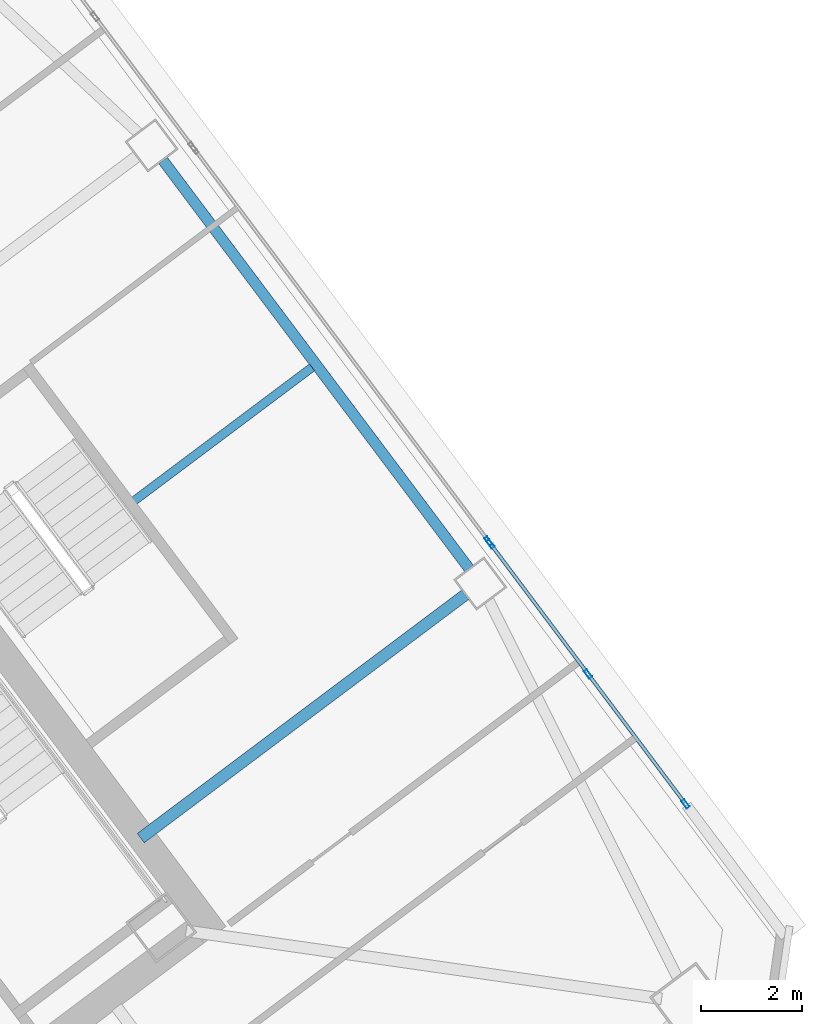
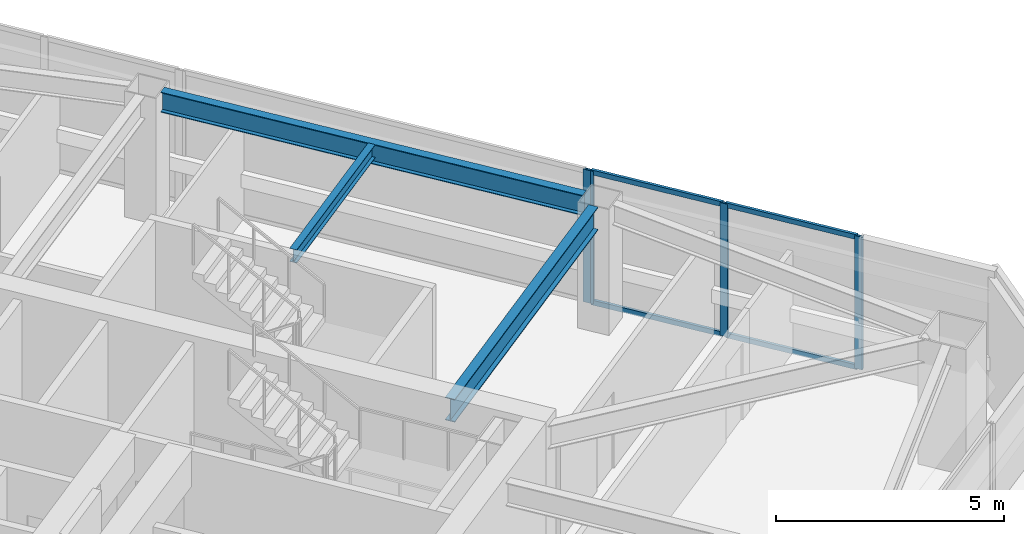
# One storey, part 26 of 43: 8 members, 3 beams, 2 elements without a shape of their own.
"""IFC4 building model written with IfcOpenShell, lengths in metres."""

from ifc_helpers import new_model, si_unit, direction, frame, origin, origin_2d, place, context, subcontext, project, spatial, hollow_rectangle, i_section, extrude, material, material_profile, profile_set, type_object, element, aggregate, save


model = new_model("IFC4")

# Units and contexts
model_context = context("Model", 3, precision=1e-05, world=origin(), true_north=direction((0.0, 1.0)))
body_context = subcontext(model_context, "Body", "Model", "MODEL_VIEW")
ifc_project = project(units=[si_unit("LENGTHUNIT", "METRE"), si_unit("AREAUNIT", "SQUARE_METRE"), si_unit("VOLUMEUNIT", "CUBIC_METRE"), si_unit("PLANEANGLEUNIT", "RADIAN"), si_unit("MASSUNIT", "GRAM", prefix="KILO")], contexts=[model_context])

# Site, building, storey
site_placement = place(None, origin())
site = spatial("IfcSite", under=ifc_project, at=site_placement, CompositionType="ELEMENT")
building_placement = place(site_placement, origin())
building = spatial("IfcBuilding", under=site, at=building_placement, Name="Tashvorn Skyway Center", CompositionType="ELEMENT")
storey_placement = place(building_placement, frame((0.0, 0.0, 160.550048828125)))
storey = spatial("IfcBuildingStorey", under=building, at=storey_placement, Name="L43", CompositionType="ELEMENT", Elevation=160.550048828125)

# Beams
ifc_material_1 = material(Name="Steel ASTM A992 Grade 50", Category="steel")
ifc_material_profile_1 = material_profile(ifc_material_1, i_section(OverallWidth=0.22998046875, OverallDepth=0.616943359375, WebThickness=0.01318359375, FlangeThickness=0.022216796875, at=origin_2d()), Name="W24X94")
ifc_profile_set_1 = profile_set([ifc_material_profile_1], Name="Steel ASTM A992 Grade 50")
beam_type_1 = type_object("IfcBeamType", Name="BM-BEAM-W24X94", PredefinedType="BEAM", material=ifc_profile_set_1)
beam_1_placement = place(storey_placement, frame((129.864013671875, 37.14794921875, 3.0615234375), z_axis=(-0.799992675677, -0.60000976564, 0.0), x_axis=(0.60000976564, -0.799992675677, 0.0)))
element("IfcBeam", 1, at=beam_1_placement, inside=storey, type_object=beam_type_1, Name="Tower 2 L43 Primary Floor Girder FC-E1", PredefinedType="BEAM", context=body_context, shape_type="SweptSolid", body=[
    extrude(i_section(OverallWidth=0.22998046875, OverallDepth=0.616943359375, WebThickness=0.01318359375, FlangeThickness=0.022216796875, at=origin_2d()), origin(), (0.0, 0.0, 1.0), 8.0),
])
ifc_material_profile_2 = material_profile(ifc_material_1, i_section(OverallWidth=0.1708984375, OverallDepth=0.35498046875, WebThickness=0.007080078125, FlangeThickness=0.01171875, at=origin_2d()), Name="W14X34")
ifc_profile_set_2 = profile_set([ifc_material_profile_2], Name="Steel ASTM A992 Grade 50")
beam_type_2 = type_object("IfcBeamType", Name="BM-JOIST-W14X34", PredefinedType="JOIST", material=ifc_profile_set_2)
beam_2_placement = place(storey_placement, frame((123.3359375, 39.001953125, 3.1923828125), z_axis=(0.799993315235, 0.600008912917, 0.0), x_axis=(-0.600008912917, 0.799993315235, 0.0)))
element("IfcBeam", 2, at=beam_2_placement, inside=storey, type_object=beam_type_2, Name="Tower 2 L43 Secondary Composite Joist JE", PredefinedType="JOIST", context=body_context, shape_type="SweptSolid", body=[
    extrude(i_section(OverallWidth=0.1708984375, OverallDepth=0.35498046875, WebThickness=0.007080078125, FlangeThickness=0.01171875, at=origin_2d()), origin(), (0.0, 0.0, 1.0), 4.382568359375),
])
ifc_material_profile_3 = material_profile(ifc_material_1, i_section(OverallWidth=0.2109375, OverallDepth=0.5390625, WebThickness=0.01171875, FlangeThickness=0.018798828125, at=origin_2d()), Name="W21X73")
ifc_profile_set_3 = profile_set([ifc_material_profile_3], Name="Steel ASTM A992 Grade 50")
beam_type_3 = type_object("IfcBeamType", Name="BM-SPANDREL-W21X73", PredefinedType="SPANDREL", material=ifc_profile_set_3)
beam_3_placement = place(storey_placement, frame((129.93798828125, 37.666015625, 3.100341796875), z_axis=(-0.599988351091, 0.800008736549, 0.0), x_axis=(-0.800008736549, -0.599988351091, 0.0)))
element("IfcBeam", 3, at=beam_3_placement, inside=storey, type_object=beam_type_3, Name="Tower 2 L43 Spandrel Beam 05", PredefinedType="SPANDREL", context=body_context, shape_type="SweptSolid", body=[
    extrude(i_section(OverallWidth=0.2109375, OverallDepth=0.5390625, WebThickness=0.01171875, FlangeThickness=0.018798828125, at=origin_2d()), origin(), (0.0, 0.0, 1.0), 10.06005859375),
])

# Curtain wall, member
ifc_material_2 = material(Name="Thermally broken bronze-anodized aluminium 6063-T6", Category="aluminium")
curtain_wall_type = type_object("IfcCurtainWallType", Name="CW-CW-Z4", PredefinedType="NOTDEFINED", material=ifc_material_2)
curtain_wall_1_placement = place(storey_placement, origin())
curtain_wall_1 = element("IfcCurtainWall", 4, at=curtain_wall_1_placement, inside=storey, type_object=curtain_wall_type, Name="Tower 2 L43 East Unitised Curtain Wall Glazing Group 2", PredefinedType="NOTDEFINED")
ifc_material_profile_4 = material_profile(ifc_material_2, hollow_rectangle(XDim=0.070068359375, YDim=0.179931640625, WallThickness=0.00390625, at=origin_2d()), Name="ALU-MULL-70x180")
ifc_profile_set_4 = profile_set([ifc_material_profile_4], Name="Thermally broken bronze-anodized aluminium 6063-T6")
member_type_1 = type_object("IfcMemberType", Name="CWM-CW-Z4", PredefinedType="MULLION", material=ifc_profile_set_4)
member_1_placement = place(storey_placement, frame((130.319091796875, 38.2080078125, 0.0), z_axis=(0.0, 0.0, 1.0), x_axis=(0.799999999998, 0.600000000002, 0.0)))
member_1 = element("IfcMember", 5, at=member_1_placement, type_object=member_type_1, Name="CW-Z4 mullion 2", PredefinedType="MULLION", context=body_context, shape_type="SweptSolid", body=[
    extrude(hollow_rectangle(XDim=0.070068359375, YDim=0.179931640625, WallThickness=0.00390625, at=origin_2d()), origin(), (0.0, 0.0, 1.0), 3.550048828125),
])
aggregate(curtain_wall_1, [member_1])

# Curtain wall, members
curtain_wall_2_placement = place(storey_placement, origin())
curtain_wall_2 = element("IfcCurtainWall", 6, at=curtain_wall_2_placement, inside=storey, type_object=curtain_wall_type, Name="Tower 2 L43 East Unitised Curtain Wall Glazing Group 3", PredefinedType="NOTDEFINED")
member_2_placement = place(storey_placement, frame((130.361083984375, 38.152099609375, 0.0), z_axis=(0.0, 0.0, 1.0), x_axis=(0.799999999998, 0.600000000002, 0.0)))
member_2 = element("IfcMember", 7, at=member_2_placement, type_object=member_type_1, Name="CW-Z4 mullion 1", PredefinedType="MULLION", context=body_context, shape_type="SweptSolid", body=[
    extrude(hollow_rectangle(XDim=0.070068359375, YDim=0.179931640625, WallThickness=0.00390625, at=origin_2d()), origin(), (0.0, 0.0, 1.0), 3.550048828125),
])
member_3_placement = place(storey_placement, frame((132.283935546875, 35.587890625, 0.0), z_axis=(0.0, 0.0, 1.0), x_axis=(0.799999999998, 0.600000000002, 0.0)))
member_3 = element("IfcMember", 8, at=member_3_placement, type_object=member_type_1, Name="CW-Z4 mullion 2", PredefinedType="MULLION", context=body_context, shape_type="SweptSolid", body=[
    extrude(hollow_rectangle(XDim=0.070068359375, YDim=0.179931640625, WallThickness=0.00390625, at=origin_2d()), origin(), (0.0, 0.0, 1.0), 3.550048828125),
])
member_4_placement = place(storey_placement, frame((134.20703125, 33.02392578125, 0.0), z_axis=(0.0, 0.0, 1.0), x_axis=(0.799999999998, 0.600000000002, 0.0)))
member_4 = element("IfcMember", 9, at=member_4_placement, type_object=member_type_1, Name="CW-Z4 mullion 3", PredefinedType="MULLION", context=body_context, shape_type="SweptSolid", body=[
    extrude(hollow_rectangle(XDim=0.070068359375, YDim=0.179931640625, WallThickness=0.00390625, at=origin_2d()), origin(), (0.0, 0.0, 1.0), 3.550048828125),
])
ifc_material_profile_5 = material_profile(ifc_material_2, hollow_rectangle(XDim=0.070068359375, YDim=0.1298828125, WallThickness=0.00390625, at=origin_2d()), Name="ALU-TRAN-70x130")
ifc_profile_set_5 = profile_set([ifc_material_profile_5], Name="Thermally broken bronze-anodized aluminium 6063-T6")
member_type_2 = type_object("IfcMemberType", Name="CWT-CW-Z4", PredefinedType="USERDEFINED", material=ifc_profile_set_5)
member_5_placement = place(storey_placement, frame((130.382080078125, 38.1240234375, 0.034912109375), z_axis=(0.599962618496, -0.800028034763, 0.0), x_axis=(0.800028034763, 0.599962618496, 0.0)))
member_5 = element("IfcMember", 10, at=member_5_placement, type_object=member_type_2, Name="CW-Z4 transom 1.1", ObjectType="TRANSOM", PredefinedType="USERDEFINED", context=body_context, shape_type="SweptSolid", body=[
    extrude(hollow_rectangle(XDim=0.070068359375, YDim=0.1298828125, WallThickness=0.00390625, at=origin_2d()), origin(), (0.0, 0.0, 1.0), 3.135009765625),
])
member_6_placement = place(storey_placement, frame((130.382080078125, 38.1240234375, 3.514892578125), z_axis=(0.599962618496, -0.800028034763, 0.0), x_axis=(0.800028034763, 0.599962618496, 0.0)))
member_6 = element("IfcMember", 11, at=member_6_placement, type_object=member_type_2, Name="CW-Z4 transom 1.2", ObjectType="TRANSOM", PredefinedType="USERDEFINED", context=body_context, shape_type="SweptSolid", body=[
    extrude(hollow_rectangle(XDim=0.070068359375, YDim=0.1298828125, WallThickness=0.00390625, at=origin_2d()), origin(), (0.0, 0.0, 1.0), 3.135009765625),
])
member_7_placement = place(storey_placement, frame((132.304931640625, 35.56005859375, 0.034912109375), z_axis=(0.600012459628, -0.799990655127, 0.0), x_axis=(0.799990655127, 0.600012459628, 0.0)))
member_7 = element("IfcMember", 12, at=member_7_placement, type_object=member_type_2, Name="CW-Z4 transom 2.1", ObjectType="TRANSOM", PredefinedType="USERDEFINED", context=body_context, shape_type="SweptSolid", body=[
    extrude(hollow_rectangle(XDim=0.070068359375, YDim=0.1298828125, WallThickness=0.00390625, at=origin_2d()), origin(), (0.0, 0.0, 1.0), 3.135009765625),
])
member_8_placement = place(storey_placement, frame((132.304931640625, 35.56005859375, 3.514892578125), z_axis=(0.600012459628, -0.799990655127, 0.0), x_axis=(0.799990655127, 0.600012459628, 0.0)))
member_8 = element("IfcMember", 13, at=member_8_placement, type_object=member_type_2, Name="CW-Z4 transom 2.2", ObjectType="TRANSOM", PredefinedType="USERDEFINED", context=body_context, shape_type="SweptSolid", body=[
    extrude(hollow_rectangle(XDim=0.070068359375, YDim=0.1298828125, WallThickness=0.00390625, at=origin_2d()), origin(), (0.0, 0.0, 1.0), 3.135009765625),
])
aggregate(curtain_wall_2, [member_2, member_3, member_4, member_5, member_6, member_7, member_8])

save(model, "model.ifc")
